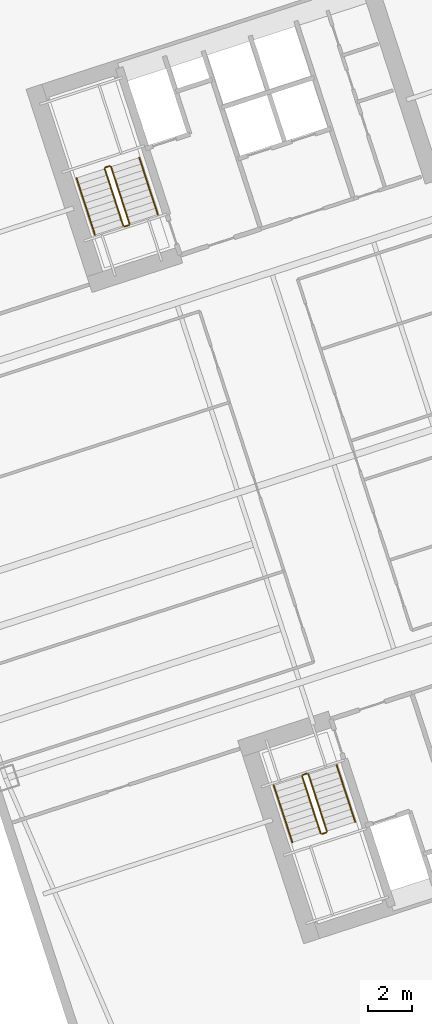
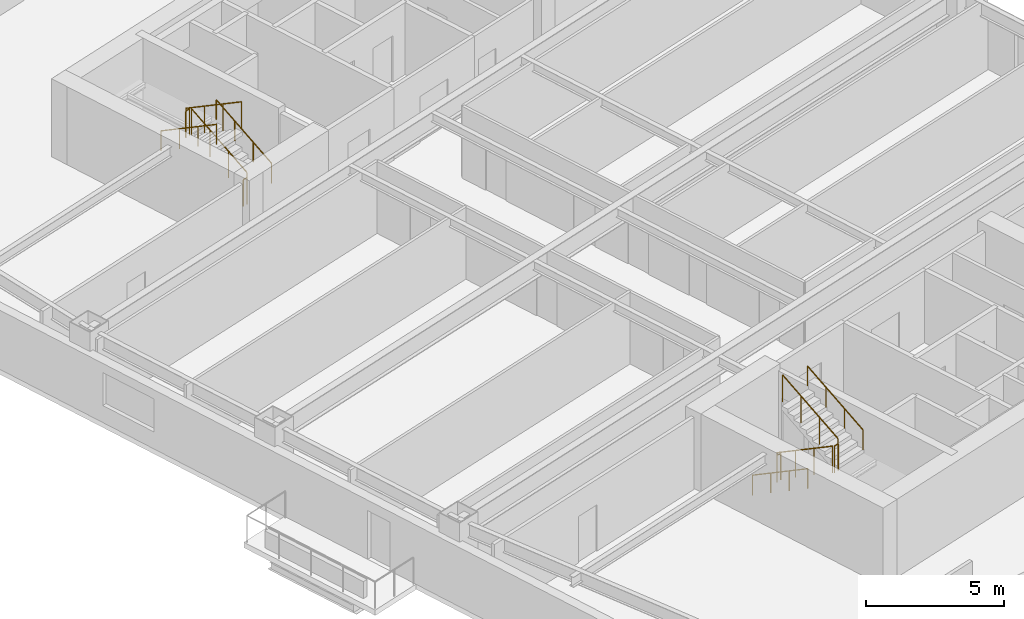
# One storey, part 14 of 15: 12 railings.
"""IFC4 building model written with IfcOpenShell, lengths in metres."""

from ifc_helpers import new_model, si_unit, direction, frame, origin, origin_2d, place, context, subcontext, project, spatial, circle, extrude, material, type_object, element, save


model = new_model("IFC4")

# Units and contexts
model_context = context("Model", 3, precision=1e-05, world=origin(), true_north=direction((0.0, 1.0)))
body_context = subcontext(model_context, "Body", "Model", "MODEL_VIEW")
ifc_project = project(units=[si_unit("LENGTHUNIT", "METRE"), si_unit("AREAUNIT", "SQUARE_METRE"), si_unit("VOLUMEUNIT", "CUBIC_METRE"), si_unit("PLANEANGLEUNIT", "RADIAN"), si_unit("MASSUNIT", "GRAM", prefix="KILO")], contexts=[model_context])

# Site, building, storey
site_placement = place(None, origin())
site = spatial("IfcSite", under=ifc_project, at=site_placement, CompositionType="ELEMENT")
building_placement = place(site_placement, origin())
building = spatial("IfcBuilding", under=site, at=building_placement, Name="Qiaolan Cultural Towers", CompositionType="ELEMENT")
storey_placement = place(building_placement, frame((0.0, 0.0, 60.949951171875)))
storey = spatial("IfcBuildingStorey", under=building, at=storey_placement, Name="L14", CompositionType="ELEMENT", Elevation=60.949951171875)

# Railings
ifc_material_1 = material(Name="Galvanized Painted Steel Stair Guardrail", Category="steel")
railing_type_1 = type_object("IfcRailingType", Name="RL-STAIR-GRD", PredefinedType="GUARDRAIL", material=ifc_material_1)
railing_1_placement = place(storey_placement, frame((88.60205078125, 19.82421875, 0.172607421875)))
element("IfcRailing", 1, at=railing_1_placement, inside=storey, type_object=railing_type_1, Name="L14 ST-E1 stair guard 1", PredefinedType="GUARDRAIL", context=body_context, shape_type="SweptSolid", body=[
    extrude(circle(Radius=0.02392578125, at=origin_2d()), frame((0.0, 0.0, 1.17578125), z_axis=(0.267925668498, -0.824471088726, 0.498460891159), x_axis=(0.951043371037, 0.309057448393, 0.0)), (0.0, 0.0, 1.0), 3.114501953125),
    extrude(circle(Radius=0.02099609375, at=origin_2d()), origin(), (0.0, 0.0, 1.0), 1.15185546875),
    extrude(circle(Radius=0.02099609375, at=origin_2d()), frame((0.278076171875, -0.85595703125, 0.517578125)), (0.0, 0.0, 1.0), 1.15185546875),
    extrude(circle(Radius=0.02099609375, at=origin_2d()), frame((0.556396484375, -1.7119140625, 1.034912109375)), (0.0, 0.0, 1.0), 1.15185546875),
    extrude(circle(Radius=0.02099609375, at=origin_2d()), frame((0.83447265625, -2.56787109375, 1.552490234375)), (0.0, 0.0, 1.0), 1.15185546875),
])
railing_2_placement = place(storey_placement, frame((89.49951171875, 17.224365234375, 1.72509765625)))
element("IfcRailing", 2, at=railing_2_placement, inside=storey, type_object=railing_type_1, Name="L14 ST-E1 stair guard 2", PredefinedType="GUARDRAIL", context=body_context, shape_type="SweptSolid", body=[
    extrude(circle(Radius=0.02392578125, at=origin_2d()), frame((0.0, 0.0, 1.17578125), z_axis=(0.951096855055, 0.308892816854, 0.0), x_axis=(-0.308892816854, 0.951096855055, 0.0)), (0.0, 0.0, 1.0), 0.199951171875),
    extrude(circle(Radius=0.02099609375, at=origin_2d()), origin(), (0.0, 0.0, 1.0), 1.15185546875),
    extrude(circle(Radius=0.02099609375, at=origin_2d()), frame((0.190185546875, 0.061767578125, 0.0)), (0.0, 0.0, 1.0), 1.15185546875),
])
railing_3_placement = place(storey_placement, frame((89.721923828125, 17.34912109375, 1.8974609375)))
element("IfcRailing", 3, at=railing_3_placement, inside=storey, type_object=railing_type_1, Name="L14 ST-E1 stair guard 3", PredefinedType="GUARDRAIL", context=body_context, shape_type="SweptSolid", body=[
    extrude(circle(Radius=0.02392578125, at=origin_2d()), frame((0.0, 0.0, 1.17578125), z_axis=(-0.267925668498, 0.824471088726, 0.498460891159), x_axis=(-0.951043371037, -0.309057448393, 0.0)), (0.0, 0.0, 1.0), 3.114501953125),
    extrude(circle(Radius=0.02099609375, at=origin_2d()), origin(), (0.0, 0.0, 1.0), 1.15185546875),
    extrude(circle(Radius=0.02099609375, at=origin_2d()), frame((-0.278076171875, 0.85595703125, 0.517578125)), (0.0, 0.0, 1.0), 1.15185546875),
    extrude(circle(Radius=0.02099609375, at=origin_2d()), frame((-0.556396484375, 1.7119140625, 1.034912109375)), (0.0, 0.0, 1.0), 1.15185546875),
    extrude(circle(Radius=0.02099609375, at=origin_2d()), frame((-0.83447265625, 2.56787109375, 1.552490234375)), (0.0, 0.0, 1.0), 1.15185546875),
])
railing_4_placement = place(storey_placement, frame((88.63427734375, 19.88720703125, 0.0)))
element("IfcRailing", 4, at=railing_4_placement, inside=storey, type_object=railing_type_1, Name="L14 ST-E1 stair guard 4", PredefinedType="GUARDRAIL", context=body_context, shape_type="SweptSolid", body=[
    extrude(circle(Radius=0.02392578125, at=origin_2d()), frame((0.0, 0.0, 1.17578125), z_axis=(0.951096855055, 0.308892816854, 0.0), x_axis=(-0.308892816854, 0.951096855055, 0.0)), (0.0, 0.0, 1.0), 0.199951171875),
    extrude(circle(Radius=0.02099609375, at=origin_2d()), origin(), (0.0, 0.0, 1.0), 1.15185546875),
    extrude(circle(Radius=0.02099609375, at=origin_2d()), frame((0.190185546875, 0.061767578125, 0.0)), (0.0, 0.0, 1.0), 1.15185546875),
])
railing_5_placement = place(storey_placement, frame((80.822021484375, 44.739501953125, 0.172607421875)))
element("IfcRailing", 5, at=railing_5_placement, inside=storey, type_object=railing_type_1, Name="L14 ST-E2 stair guard 1", PredefinedType="GUARDRAIL", context=body_context, shape_type="SweptSolid", body=[
    extrude(circle(Radius=0.02392578125, at=origin_2d()), frame((0.0, 0.0, 1.17578125), z_axis=(-0.26785290645, 0.824488402118, 0.498471358535), x_axis=(-0.951069945308, -0.308975661068, 0.0)), (0.0, 0.0, 1.0), 3.114501953125),
    extrude(circle(Radius=0.02099609375, at=origin_2d()), origin(), (0.0, 0.0, 1.0), 1.15185546875),
    extrude(circle(Radius=0.02099609375, at=origin_2d()), frame((-0.278076171875, 0.85595703125, 0.517578125)), (0.0, 0.0, 1.0), 1.15185546875),
    extrude(circle(Radius=0.02099609375, at=origin_2d()), frame((-0.55615234375, 1.7119140625, 1.034912109375)), (0.0, 0.0, 1.0), 1.15185546875),
    extrude(circle(Radius=0.02099609375, at=origin_2d()), frame((-0.834228515625, 2.56787109375, 1.552490234375)), (0.0, 0.0, 1.0), 1.15185546875),
])
railing_6_placement = place(storey_placement, frame((79.9248046875, 47.33935546875, 1.72509765625)))
element("IfcRailing", 6, at=railing_6_placement, inside=storey, type_object=railing_type_1, Name="L14 ST-E2 stair guard 2", PredefinedType="GUARDRAIL", context=body_context, shape_type="SweptSolid", body=[
    extrude(circle(Radius=0.02392578125, at=origin_2d()), frame((0.0, 0.0, 1.17578125), z_axis=(-0.951096855055, -0.308892816854, 0.0), x_axis=(0.308892816854, -0.951096855055, 0.0)), (0.0, 0.0, 1.0), 0.199951171875),
    extrude(circle(Radius=0.02099609375, at=origin_2d()), origin(), (0.0, 0.0, 1.0), 1.15185546875),
    extrude(circle(Radius=0.02099609375, at=origin_2d()), frame((-0.190185546875, -0.061767578125, 0.0)), (0.0, 0.0, 1.0), 1.15185546875),
])
railing_7_placement = place(storey_placement, frame((79.702392578125, 47.214599609375, 1.8974609375)))
element("IfcRailing", 7, at=railing_7_placement, inside=storey, type_object=railing_type_1, Name="L14 ST-E2 stair guard 3", PredefinedType="GUARDRAIL", context=body_context, shape_type="SweptSolid", body=[
    extrude(circle(Radius=0.02392578125, at=origin_2d()), frame((0.0, 0.0, 1.17578125), z_axis=(0.267925668498, -0.824471088726, 0.498460891159), x_axis=(0.951043371037, 0.309057448393, 0.0)), (0.0, 0.0, 1.0), 3.114501953125),
    extrude(circle(Radius=0.02099609375, at=origin_2d()), origin(), (0.0, 0.0, 1.0), 1.15185546875),
    extrude(circle(Radius=0.02099609375, at=origin_2d()), frame((0.278076171875, -0.85595703125, 0.517578125)), (0.0, 0.0, 1.0), 1.15185546875),
    extrude(circle(Radius=0.02099609375, at=origin_2d()), frame((0.556396484375, -1.7119140625, 1.034912109375)), (0.0, 0.0, 1.0), 1.15185546875),
    extrude(circle(Radius=0.02099609375, at=origin_2d()), frame((0.83447265625, -2.56787109375, 1.552490234375)), (0.0, 0.0, 1.0), 1.15185546875),
])
railing_8_placement = place(storey_placement, frame((80.7900390625, 44.676513671875, 0.0)))
element("IfcRailing", 8, at=railing_8_placement, inside=storey, type_object=railing_type_1, Name="L14 ST-E2 stair guard 4", PredefinedType="GUARDRAIL", context=body_context, shape_type="SweptSolid", body=[
    extrude(circle(Radius=0.02392578125, at=origin_2d()), frame((0.0, 0.0, 1.17578125), z_axis=(-0.951096855055, -0.308892816854, 0.0), x_axis=(0.308892816854, -0.951096855055, 0.0)), (0.0, 0.0, 1.0), 0.199951171875),
    extrude(circle(Radius=0.02099609375, at=origin_2d()), origin(), (0.0, 0.0, 1.0), 1.15185546875),
    extrude(circle(Radius=0.02099609375, at=origin_2d()), frame((-0.190185546875, -0.061767578125, 0.0)), (0.0, 0.0, 1.0), 1.15185546875),
])
ifc_material_2 = material(Name="Stainless Steel S30408 Tubular Handrail", Category="steel")
railing_type_2 = type_object("IfcRailingType", Name="RL-STAIR-HR", PredefinedType="HANDRAIL", material=ifc_material_2)
railing_9_placement = place(storey_placement, frame((87.32763671875, 19.41015625, 0.172607421875)))
element("IfcRailing", 9, at=railing_9_placement, inside=storey, type_object=railing_type_2, Name="L14 ST-E1 stair handrail 1", PredefinedType="HANDRAIL", context=body_context, shape_type="SweptSolid", body=[
    extrude(circle(Radius=0.02392578125, at=origin_2d()), frame((0.0, 0.0, 0.8759765625), z_axis=(0.267925668498, -0.824471088726, 0.498460891159), x_axis=(0.951043371037, 0.309057448393, 0.0)), (0.0, 0.0, 1.0), 3.114501953125),
    extrude(circle(Radius=0.02099609375, at=origin_2d()), origin(), (0.0, 0.0, 1.0), 0.851806640625),
    extrude(circle(Radius=0.02099609375, at=origin_2d()), frame((0.278076171875, -0.85595703125, 0.517578125)), (0.0, 0.0, 1.0), 0.851806640625),
    extrude(circle(Radius=0.02099609375, at=origin_2d()), frame((0.556396484375, -1.7119140625, 1.034912109375)), (0.0, 0.0, 1.0), 0.851806640625),
    extrude(circle(Radius=0.02099609375, at=origin_2d()), frame((0.83447265625, -2.56787109375, 1.552490234375)), (0.0, 0.0, 1.0), 0.851806640625),
])
railing_10_placement = place(storey_placement, frame((90.996337890625, 17.76318359375, 1.8974609375)))
element("IfcRailing", 10, at=railing_10_placement, inside=storey, type_object=railing_type_2, Name="L14 ST-E1 stair handrail 2", PredefinedType="HANDRAIL", context=body_context, shape_type="SweptSolid", body=[
    extrude(circle(Radius=0.02392578125, at=origin_2d()), frame((0.0, 0.0, 0.8759765625), z_axis=(-0.267925668498, 0.824471088726, 0.498460891159), x_axis=(-0.951043371037, -0.309057448393, 0.0)), (0.0, 0.0, 1.0), 3.114501953125),
    extrude(circle(Radius=0.02099609375, at=origin_2d()), origin(), (0.0, 0.0, 1.0), 0.851806640625),
    extrude(circle(Radius=0.02099609375, at=origin_2d()), frame((-0.278076171875, 0.85595703125, 0.517578125)), (0.0, 0.0, 1.0), 0.851806640625),
    extrude(circle(Radius=0.02099609375, at=origin_2d()), frame((-0.556396484375, 1.7119140625, 1.034912109375)), (0.0, 0.0, 1.0), 0.851806640625),
    extrude(circle(Radius=0.02099609375, at=origin_2d()), frame((-0.83447265625, 2.56787109375, 1.552490234375)), (0.0, 0.0, 1.0), 0.851806640625),
])
railing_11_placement = place(storey_placement, frame((82.096435546875, 45.153564453125, 0.172607421875)))
element("IfcRailing", 11, at=railing_11_placement, inside=storey, type_object=railing_type_2, Name="L14 ST-E2 stair handrail 1", PredefinedType="HANDRAIL", context=body_context, shape_type="SweptSolid", body=[
    extrude(circle(Radius=0.02392578125, at=origin_2d()), frame((0.0, 0.0, 0.8759765625), z_axis=(-0.26785290645, 0.824488402118, 0.498471358535), x_axis=(-0.951069945308, -0.308975661068, 0.0)), (0.0, 0.0, 1.0), 3.114501953125),
    extrude(circle(Radius=0.02099609375, at=origin_2d()), origin(), (0.0, 0.0, 1.0), 0.851806640625),
    extrude(circle(Radius=0.02099609375, at=origin_2d()), frame((-0.278076171875, 0.85595703125, 0.517578125)), (0.0, 0.0, 1.0), 0.851806640625),
    extrude(circle(Radius=0.02099609375, at=origin_2d()), frame((-0.55615234375, 1.7119140625, 1.034912109375)), (0.0, 0.0, 1.0), 0.851806640625),
    extrude(circle(Radius=0.02099609375, at=origin_2d()), frame((-0.834228515625, 2.56787109375, 1.552490234375)), (0.0, 0.0, 1.0), 0.851806640625),
])
railing_12_placement = place(storey_placement, frame((78.427978515625, 46.800537109375, 1.8974609375)))
element("IfcRailing", 12, at=railing_12_placement, inside=storey, type_object=railing_type_2, Name="L14 ST-E2 stair handrail 2", PredefinedType="HANDRAIL", context=body_context, shape_type="SweptSolid", body=[
    extrude(circle(Radius=0.02392578125, at=origin_2d()), frame((0.0, 0.0, 0.8759765625), z_axis=(0.267925668498, -0.824471088726, 0.498460891159), x_axis=(0.951043371037, 0.309057448393, 0.0)), (0.0, 0.0, 1.0), 3.114501953125),
    extrude(circle(Radius=0.02099609375, at=origin_2d()), origin(), (0.0, 0.0, 1.0), 0.851806640625),
    extrude(circle(Radius=0.02099609375, at=origin_2d()), frame((0.278076171875, -0.85595703125, 0.517578125)), (0.0, 0.0, 1.0), 0.851806640625),
    extrude(circle(Radius=0.02099609375, at=origin_2d()), frame((0.556396484375, -1.7119140625, 1.034912109375)), (0.0, 0.0, 1.0), 0.851806640625),
    extrude(circle(Radius=0.02099609375, at=origin_2d()), frame((0.83447265625, -2.56787109375, 1.552490234375)), (0.0, 0.0, 1.0), 0.851806640625),
])

save(model, "model.ifc")
